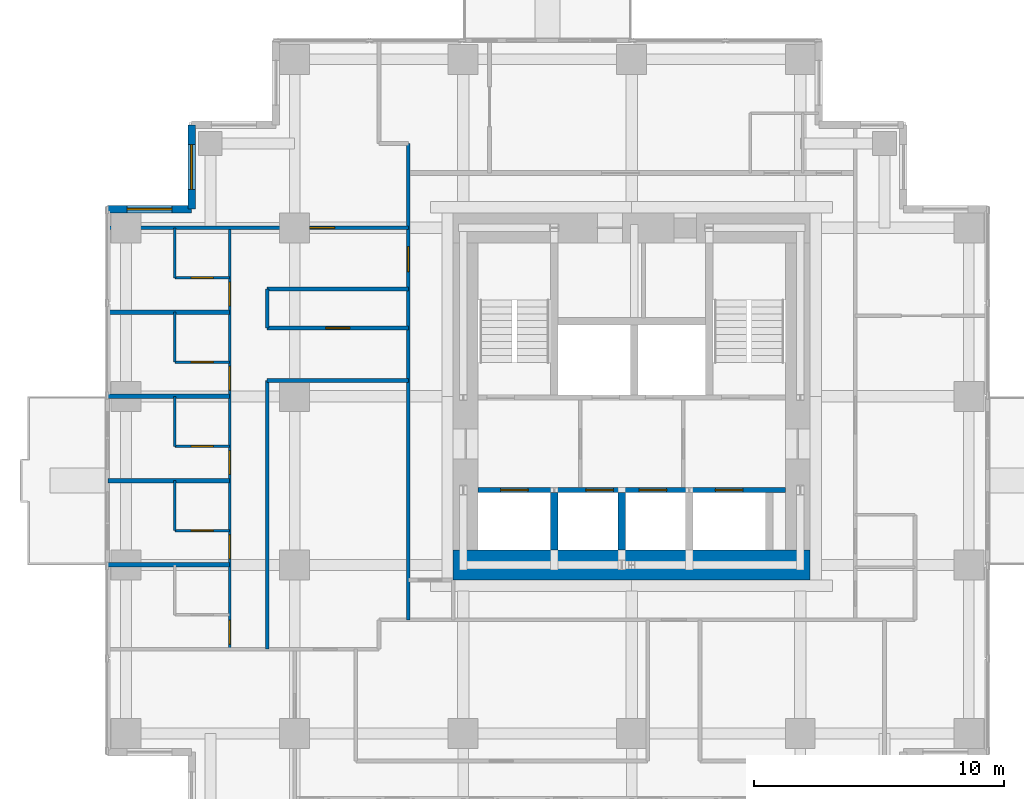
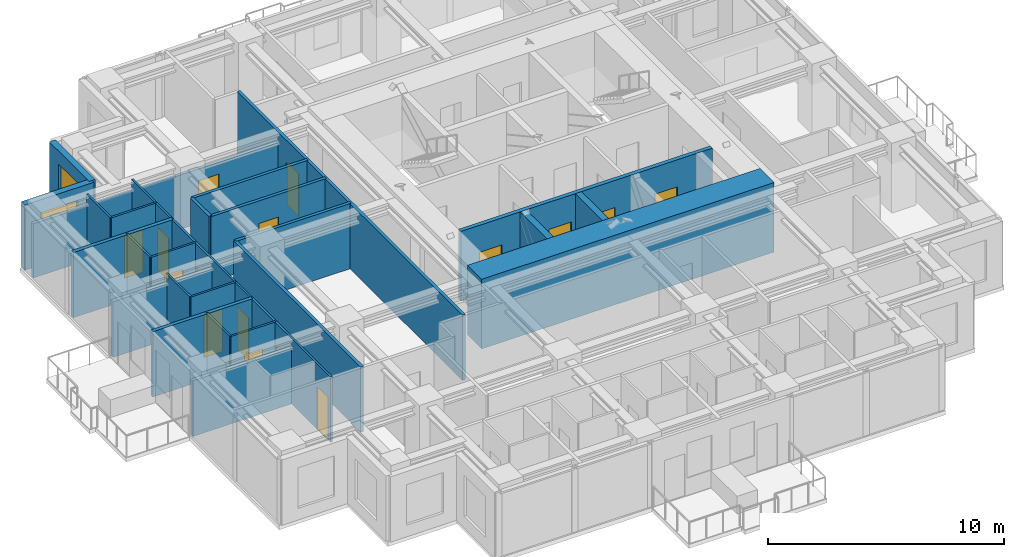
# One storey, part 5 of 8: 26 walls, 16 doors, 2 windows, 18 openings.
"""IFC4 building model written with IfcOpenShell, lengths in metres."""

from ifc_helpers import new_model, si_unit, direction, frame, frame_2d, origin, place, context, subcontext, project, spatial, rectangle, extrude, material, layer, layer_set, type_object, element, fill, save


model = new_model("IFC4")

# Units and contexts
model_context = context("Model", 3, precision=1e-05, world=origin(), true_north=direction((0.0, 1.0)))
body_context = subcontext(model_context, "Body", "Model", "MODEL_VIEW")
ifc_project = project(units=[si_unit("LENGTHUNIT", "METRE"), si_unit("AREAUNIT", "SQUARE_METRE"), si_unit("VOLUMEUNIT", "CUBIC_METRE"), si_unit("PLANEANGLEUNIT", "RADIAN"), si_unit("MASSUNIT", "GRAM", prefix="KILO")], contexts=[model_context])

# Site, building, storey
site_placement = place(None, origin())
site = spatial("IfcSite", under=ifc_project, at=site_placement, CompositionType="ELEMENT")
building_placement = place(site_placement, origin())
building = spatial("IfcBuilding", under=site, at=building_placement, Name="Nyansa Garden Tower", CompositionType="ELEMENT")
storey_placement = place(building_placement, frame((0.0, 0.0, 171.0)))
storey = spatial("IfcBuildingStorey", under=building, at=storey_placement, Name="L46", CompositionType="ELEMENT", Elevation=171.0)

# Walls
ifc_material_1 = material(Name="Dense blockwork, plastered both sides, 55 dB", Category="masonry")
ifc_layer_1 = layer(ifc_material_1, 0.175048828125)
ifc_layer_set_1 = layer_set([ifc_layer_1], Name="Acoustic party wall PW175")
wall_type_1 = type_object("IfcWallType", Name="Acoustic party wall PW175", PredefinedType="PARTITIONING", material=ifc_layer_set_1)
wall_1_placement = place(storey_placement, frame((-0.73388671875, 13.5, 0.0), z_axis=(0.0, 0.0, 1.0), x_axis=(1.0, 0.0, 0.0)))
element("IfcWall", 1, at=wall_1_placement, inside=storey, type_object=wall_type_1, Name="Party wall", PredefinedType="PARTITIONING", context=body_context, shape_type="SweptSolid", body=[
    extrude(rectangle(XDim=4.8837890625, YDim=0.175048828125, at=frame_2d((2.44189453125, 0.0))), origin(), (0.0, 0.0, 1.0), 2.876953125),
])
wall_2_placement = place(storey_placement, frame((-0.73388671875, 16.875, 0.0), z_axis=(0.0, 0.0, 1.0), x_axis=(1.0, 0.0, 0.0)))
element("IfcWall", 2, at=wall_2_placement, inside=storey, type_object=wall_type_1, Name="Party wall", PredefinedType="PARTITIONING", context=body_context, shape_type="SweptSolid", body=[
    extrude(rectangle(XDim=4.8837890625, YDim=0.175048828125, at=frame_2d((2.44189453125, 0.0))), origin(), (0.0, 0.0, 1.0), 3.375),
])
wall_3_placement = place(storey_placement, frame((-0.73388671875, 20.25, 0.0), z_axis=(0.0, 0.0, 1.0), x_axis=(1.0, 0.0, 0.0)))
element("IfcWall", 3, at=wall_3_placement, inside=storey, type_object=wall_type_1, Name="Party wall", PredefinedType="PARTITIONING", context=body_context, shape_type="SweptSolid", body=[
    extrude(rectangle(XDim=4.8837890625, YDim=0.175048828125, at=frame_2d((2.44189453125, 0.0))), origin(), (0.0, 0.0, 1.0), 2.876953125),
])
wall_4_placement = place(storey_placement, frame((-0.73388671875, 23.625, 0.0), z_axis=(0.0, 0.0, 1.0), x_axis=(1.0, 0.0, 0.0)))
element("IfcWall", 4, at=wall_4_placement, inside=storey, type_object=wall_type_1, Name="Party wall", PredefinedType="PARTITIONING", context=body_context, shape_type="SweptSolid", body=[
    extrude(rectangle(XDim=4.8837890625, YDim=0.175048828125, at=frame_2d((2.44189453125, 0.0))), origin(), (0.0, 0.0, 1.0), 3.375),
])

# Wall, openings, doors
ifc_material_2 = material(Name="Concrete C70/85", Category="concrete")
ifc_layer_2 = layer(ifc_material_2, 0.199951171875)
ifc_layer_set_2 = layer_set([ifc_layer_2], Name="Core inner wall CI200")
wall_type_2 = type_object("IfcWallType", Name="Core inner wall CI200", PredefinedType="SHEAR", material=ifc_layer_set_2)
wall_5_placement = place(storey_placement, frame((14.10009765625, 16.5, 0.0), z_axis=(0.0, 0.0, 1.0), x_axis=(1.0, 0.0, 0.0)))
wall_5 = element("IfcWall", 5, at=wall_5_placement, inside=storey, type_object=wall_type_2, Name="Core inner wall L46", PredefinedType="SHEAR", context=body_context, shape_type="SweptSolid", body=[
    extrude(rectangle(XDim=12.2998046875, YDim=0.199951171875, at=frame_2d((6.14990234375, 0.0))), origin(), (0.0, 0.0, 1.0), 3.60009765625),
])
opening_1_placement = place(wall_5_placement, frame((0.89990234375, 0.0, 0.0)))
opening_1 = element("IfcOpeningElement", 6, at=opening_1_placement, cuts=wall_5, Name="Opening LD-F", PredefinedType="OPENING", context=body_context, shape_type="SweptSolid", body=[
    extrude(rectangle(XDim=1.10009765625, YDim=2.199951171875, at=frame_2d((0.550048828125, 1.10009765625))), frame((0.0, 0.10986328125, 0.0), z_axis=(0.0, -1.0, 0.0), x_axis=(1.0, 0.0, 0.0)), (0.0, 0.0, 1.0), 0.219970703125),
])
opening_2_placement = place(wall_5_placement, frame((4.31005859375, 0.0, 0.0)))
opening_2 = element("IfcOpeningElement", 7, at=opening_2_placement, cuts=wall_5, Name="Opening LD-B", PredefinedType="OPENING", context=body_context, shape_type="SweptSolid", body=[
    extrude(rectangle(XDim=1.10009765625, YDim=2.199951171875, at=frame_2d((0.550048828125, 1.10009765625))), frame((0.0, 0.10986328125, 0.0), z_axis=(0.0, -1.0, 0.0), x_axis=(1.0, 0.0, 0.0)), (0.0, 0.0, 1.0), 0.219970703125),
])
opening_3_placement = place(wall_5_placement, frame((6.449951171875, 0.0, 0.0)))
opening_3 = element("IfcOpeningElement", 8, at=opening_3_placement, cuts=wall_5, Name="Opening LD-B", PredefinedType="OPENING", context=body_context, shape_type="SweptSolid", body=[
    extrude(rectangle(XDim=1.10009765625, YDim=2.199951171875, at=frame_2d((0.550048828125, 1.10009765625))), frame((0.0, 0.10986328125, 0.0), z_axis=(0.0, -1.0, 0.0), x_axis=(1.0, 0.0, 0.0)), (0.0, 0.0, 1.0), 0.219970703125),
])
opening_4_placement = place(wall_5_placement, frame((9.5, 0.0, 0.0)))
opening_4 = element("IfcOpeningElement", 9, at=opening_4_placement, cuts=wall_5, Name="Opening LD-F", PredefinedType="OPENING", context=body_context, shape_type="SweptSolid", body=[
    extrude(rectangle(XDim=1.10009765625, YDim=2.199951171875, at=frame_2d((0.550048828125, 1.10009765625))), frame((0.0, 0.10986328125, 0.0), z_axis=(0.0, -1.0, 0.0), x_axis=(1.0, 0.0, 0.0)), (0.0, 0.0, 1.0), 0.219970703125),
])
ifc_material_3 = material(Name="Stainless steel centre-opening landing door of the high-rise lift, E 120", Category="steel")
door_type_1 = type_object("IfcDoorType", Name="Lift landing door LD-B 1100x2200", OperationType="DOUBLE_DOOR_SLIDING", PredefinedType="DOOR", material=ifc_material_3)
door_1_placement = place(opening_2_placement, origin())
door_1 = element("IfcDoor", 10, at=door_1_placement, inside=storey, type_object=door_type_1, Name="Landing door B1", OperationType="DOUBLE_DOOR_SLIDING", OverallHeight=2.199951171875, OverallWidth=1.10009765625, PredefinedType="DOOR", context=body_context, shape_type="SweptSolid", body=[
    extrude(rectangle(XDim=1.10009765625, YDim=2.199951171875, at=frame_2d((0.550048828125, 1.10009765625))), frame((0.0, 0.02490234375, 0.0), z_axis=(0.0, -1.0, 0.0), x_axis=(1.0, 0.0, 0.0)), (0.0, 0.0, 1.0), 0.050048828125),
])
fill(opening_2, door_1)
door_2_placement = place(opening_3_placement, origin())
door_2 = element("IfcDoor", 11, at=door_2_placement, inside=storey, type_object=door_type_1, Name="Landing door B2", OperationType="DOUBLE_DOOR_SLIDING", OverallHeight=2.199951171875, OverallWidth=1.10009765625, PredefinedType="DOOR", context=body_context, shape_type="SweptSolid", body=[
    extrude(rectangle(XDim=1.10009765625, YDim=2.199951171875, at=frame_2d((0.550048828125, 1.10009765625))), frame((0.0, 0.02490234375, 0.0), z_axis=(0.0, -1.0, 0.0), x_axis=(1.0, 0.0, 0.0)), (0.0, 0.0, 1.0), 0.050048828125),
])
fill(opening_3, door_2)
ifc_material_4 = material(Name="Stainless steel centre-opening landing door of the firefighting lift, EN 81-72, E 120", Category="steel")
door_type_2 = type_object("IfcDoorType", Name="Lift landing door LD-F 1100x2200", OperationType="DOUBLE_DOOR_SLIDING", PredefinedType="DOOR", material=ifc_material_4)
door_3_placement = place(opening_1_placement, origin())
door_3 = element("IfcDoor", 12, at=door_3_placement, inside=storey, type_object=door_type_2, Name="Landing door FF1", OperationType="DOUBLE_DOOR_SLIDING", OverallHeight=2.199951171875, OverallWidth=1.10009765625, PredefinedType="DOOR", context=body_context, shape_type="SweptSolid", body=[
    extrude(rectangle(XDim=1.10009765625, YDim=2.199951171875, at=frame_2d((0.550048828125, 1.10009765625))), frame((0.0, 0.02490234375, 0.0), z_axis=(0.0, -1.0, 0.0), x_axis=(1.0, 0.0, 0.0)), (0.0, 0.0, 1.0), 0.050048828125),
])
fill(opening_1, door_3)
door_4_placement = place(opening_4_placement, origin())
door_4 = element("IfcDoor", 13, at=door_4_placement, inside=storey, type_object=door_type_2, Name="Landing door FF2", OperationType="DOUBLE_DOOR_SLIDING", OverallHeight=2.199951171875, OverallWidth=1.10009765625, PredefinedType="DOOR", context=body_context, shape_type="SweptSolid", body=[
    extrude(rectangle(XDim=1.10009765625, YDim=2.199951171875, at=frame_2d((0.550048828125, 1.10009765625))), frame((0.0, 0.02490234375, 0.0), z_axis=(0.0, -1.0, 0.0), x_axis=(1.0, 0.0, 0.0)), (0.0, 0.0, 1.0), 0.050048828125),
])
fill(opening_4, door_4)

# Walls
ifc_material_5 = material(Name="Concrete C70/85", Category="concrete")
ifc_layer_3 = layer(ifc_material_5, 0.300048828125)
ifc_layer_set_3 = layer_set([ifc_layer_3], Name="Core inner wall CI300")
wall_type_3 = type_object("IfcWallType", Name="Core inner wall CI300", PredefinedType="SHEAR", material=ifc_layer_set_3)
for number, where, z_axis, x_axis, name in (
    (14, (17.14990234375, 14.10009765625, 0.0), (0.0, 0.0, 1.0), (0.0, 1.0, 0.0), "Core inner wall L46"),
    (15, (19.85009765625, 14.10009765625, 0.0), (0.0, 0.0, 1.0), (0.0, 1.0, 0.0), "Core inner wall L46"),
):
    element("IfcWall", number, at=place(storey_placement, frame(where, z_axis=z_axis, x_axis=x_axis)), inside=storey, type_object=wall_type_3, Name=name, PredefinedType="SHEAR", context=body_context, shape_type="SweptSolid", body=[
        extrude(rectangle(XDim=2.2998046875, YDim=0.300048828125, at=frame_2d((1.14990234375, 0.0))), origin(), (0.0, 0.0, 1.0), 3.60009765625),
    ])
ifc_material_6 = material(Name="Concrete C80/95", Category="concrete")
ifc_layer_4 = layer(ifc_material_6, 1.199951171875)
ifc_layer_set_4 = layer_set([ifc_layer_4], Name="Core wall CW1200")
wall_type_4 = type_object("IfcWallType", Name="Core wall CW1200", PredefinedType="SHEAR", material=ifc_layer_set_4)
wall_6_placement = place(storey_placement, frame((13.10009765625, 13.5, 0.0), z_axis=(0.0, 0.0, 1.0), x_axis=(1.0, 0.0, 0.0)))
element("IfcWall", 16, at=wall_6_placement, inside=storey, type_object=wall_type_4, Name="Core wall S L46", PredefinedType="SHEAR", context=body_context, shape_type="SweptSolid", body=[
    extrude(rectangle(XDim=14.2998046875, YDim=1.199951171875, at=frame_2d((7.14990234375, 0.0))), origin(), (0.0, 0.0, 1.0), 3.60009765625),
])

# Wall, opening, door
ifc_material_7 = material(Name="Blockwork, plastered both sides", Category="masonry")
ifc_layer_5 = layer(ifc_material_7, 0.14990234375)
ifc_layer_set_5 = layer_set([ifc_layer_5], Name="Partition PW150")
wall_type_5 = type_object("IfcWallType", Name="Partition PW150", PredefinedType="PARTITIONING", material=ifc_layer_set_5)
wall_7_placement = place(storey_placement, frame((-0.73388671875, 27.0, 0.0), z_axis=(0.0, 0.0, 1.0), x_axis=(1.0, 0.0, 0.0)))
wall_7 = element("IfcWall", 17, at=wall_7_placement, inside=storey, type_object=wall_type_5, Name="Partition", PredefinedType="PARTITIONING", context=body_context, shape_type="SweptSolid", body=[
    extrude(rectangle(XDim=12.033935546875, YDim=0.14990234375, at=frame_2d((6.01708984375, 0.0))), origin(), (0.0, 0.0, 1.0), 2.805908203125),
])
opening_5_placement = place(wall_7_placement, frame((8.083984375, 0.0, 0.0)))
opening_5 = element("IfcOpeningElement", 18, at=opening_5_placement, cuts=wall_7, Name="Opening D03", PredefinedType="OPENING", context=body_context, shape_type="SweptSolid", body=[
    extrude(rectangle(XDim=1.0, YDim=2.199951171875, at=frame_2d((0.5, 1.10009765625))), frame((0.0, 0.0849609375, 0.0), z_axis=(0.0, -1.0, 0.0), x_axis=(1.0, 0.0, 0.0)), (0.0, 0.0, 1.0), 0.169921875),
])
ifc_material_8 = material(Name="Timber flush door, 60 minute fire resisting", Category="wood")
door_type_3 = type_object("IfcDoorType", Name="Cluster entrance door D03 1000x2200", OperationType="SINGLE_SWING_LEFT", PredefinedType="DOOR", material=ifc_material_8)
door_5_placement = place(opening_5_placement, origin())
door_5 = element("IfcDoor", 19, at=door_5_placement, inside=storey, type_object=door_type_3, Name="Door L46-051", OperationType="SINGLE_SWING_LEFT", OverallHeight=2.199951171875, OverallWidth=1.0, PredefinedType="DOOR", context=body_context, shape_type="SweptSolid", body=[
    extrude(rectangle(XDim=1.0, YDim=2.199951171875, at=frame_2d((0.5, 1.10009765625))), frame((0.0, 0.02490234375, 0.0), z_axis=(0.0, -1.0, 0.0), x_axis=(1.0, 0.0, 0.0)), (0.0, 0.0, 1.0), 0.050048828125),
])
fill(opening_5, door_5)

# Walls
wall_8_placement = place(storey_placement, frame((5.64990234375, 10.125, 0.0), z_axis=(0.0, 0.0, 1.0), x_axis=(0.0, 1.0, 0.0)))
element("IfcWall", 20, at=wall_8_placement, inside=storey, type_object=wall_type_5, Name="Partition", PredefinedType="PARTITIONING", context=body_context, shape_type="SweptSolid", body=[
    extrude(rectangle(XDim=10.762451171875, YDim=0.14990234375, at=frame_2d((5.38134765625, 0.0))), origin(), (0.0, 0.0, 1.0), 3.375),
])
wall_9_placement = place(storey_placement, frame((5.64990234375, 20.886962890625, 0.0), z_axis=(0.0, 0.0, 1.0), x_axis=(1.0, 0.0, 0.0)))
element("IfcWall", 21, at=wall_9_placement, inside=storey, type_object=wall_type_5, Name="Partition", PredefinedType="PARTITIONING", context=body_context, shape_type="SweptSolid", body=[
    extrude(rectangle(XDim=5.650146484375, YDim=0.14990234375, at=frame_2d((2.8251953125, 0.0))), origin(), (0.0, 0.0, 1.0), 3.375),
])
wall_10_placement = place(storey_placement, frame((5.64990234375, 22.987548828125, 0.0), z_axis=(0.0, 0.0, 1.0), x_axis=(0.0, 1.0, 0.0)))
element("IfcWall", 22, at=wall_10_placement, inside=storey, type_object=wall_type_5, Name="Partition", PredefinedType="PARTITIONING", context=body_context, shape_type="SweptSolid", body=[
    extrude(rectangle(XDim=1.5625, YDim=0.14990234375, at=frame_2d((0.78125, 0.0))), origin(), (0.0, 0.0, 1.0), 3.375),
])

# Wall, opening, door
wall_11_placement = place(storey_placement, frame((5.64990234375, 22.988037109375, 0.0), z_axis=(0.0, 0.0, 1.0), x_axis=(1.0, 0.0, 0.0)))
wall_11 = element("IfcWall", 23, at=wall_11_placement, inside=storey, type_object=wall_type_5, Name="Partition", PredefinedType="PARTITIONING", context=body_context, shape_type="SweptSolid", body=[
    extrude(rectangle(XDim=5.650146484375, YDim=0.14990234375, at=frame_2d((2.8251953125, 0.0))), origin(), (0.0, 0.0, 1.0), 3.375),
])
opening_6_placement = place(wall_11_placement, frame((2.35009765625, 0.0, 0.0)))
opening_6 = element("IfcOpeningElement", 24, at=opening_6_placement, cuts=wall_11, Name="Opening D01", PredefinedType="OPENING", context=body_context, shape_type="SweptSolid", body=[
    extrude(rectangle(XDim=0.949951171875, YDim=2.199951171875, at=frame_2d((0.47509765625, 1.10009765625))), frame((0.0, 0.0849609375, 0.0), z_axis=(0.0, -1.0, 0.0), x_axis=(1.0, 0.0, 0.0)), (0.0, 0.0, 1.0), 0.169921875),
])
ifc_material_9 = material(Name="Timber flush door, 30 minute fire resisting", Category="wood")
door_type_4 = type_object("IfcDoorType", Name="Bedroom door D01 950x2200", OperationType="SINGLE_SWING_LEFT", PredefinedType="DOOR", material=ifc_material_9)
door_6_placement = place(opening_6_placement, origin())
door_6 = element("IfcDoor", 25, at=door_6_placement, inside=storey, type_object=door_type_4, Name="Door L46-053", OperationType="SINGLE_SWING_LEFT", OverallHeight=2.199951171875, OverallWidth=0.949951171875, PredefinedType="DOOR", context=body_context, shape_type="SweptSolid", body=[
    extrude(rectangle(XDim=0.949951171875, YDim=2.199951171875, at=frame_2d((0.47509765625, 1.10009765625))), frame((0.0, 0.02490234375, 0.0), z_axis=(0.0, -1.0, 0.0), x_axis=(1.0, 0.0, 0.0)), (0.0, 0.0, 1.0), 0.050048828125),
])
fill(opening_6, door_6)

# Wall
wall_12_placement = place(storey_placement, frame((5.64990234375, 24.550048828125, 0.0), z_axis=(0.0, 0.0, 1.0), x_axis=(1.0, 0.0, 0.0)))
element("IfcWall", 26, at=wall_12_placement, inside=storey, type_object=wall_type_5, Name="Partition", PredefinedType="PARTITIONING", context=body_context, shape_type="SweptSolid", body=[
    extrude(rectangle(XDim=5.650146484375, YDim=0.14990234375, at=frame_2d((2.8251953125, 0.0))), origin(), (0.0, 0.0, 1.0), 3.375),
])

# Wall, opening, door
wall_13_placement = place(storey_placement, frame((11.300048828125, 11.300048828125, 0.0), z_axis=(0.0, 0.0, 1.0), x_axis=(0.0, 1.0, 0.0)))
wall_13 = element("IfcWall", 27, at=wall_13_placement, inside=storey, type_object=wall_type_5, Name="Partition", PredefinedType="PARTITIONING", context=body_context, shape_type="SweptSolid", body=[
    extrude(rectangle(XDim=19.074951171875, YDim=0.14990234375, at=frame_2d((9.53759765625, 0.0))), origin(), (0.0, 0.0, 1.0), 3.375),
])
opening_7_placement = place(wall_13_placement, frame((13.949951171875, 0.0, 0.0)))
opening_7 = element("IfcOpeningElement", 28, at=opening_7_placement, cuts=wall_13, Name="Opening D03", PredefinedType="OPENING", context=body_context, shape_type="SweptSolid", body=[
    extrude(rectangle(XDim=1.0, YDim=2.199951171875, at=frame_2d((0.5, 1.10009765625))), frame((0.0, 0.0849609375, 0.0), z_axis=(0.0, -1.0, 0.0), x_axis=(1.0, 0.0, 0.0)), (0.0, 0.0, 1.0), 0.169921875),
])
door_7_placement = place(opening_7_placement, origin())
door_7 = element("IfcDoor", 29, at=door_7_placement, inside=storey, type_object=door_type_3, Name="Door L46-052", OperationType="SINGLE_SWING_LEFT", OverallHeight=2.199951171875, OverallWidth=1.0, PredefinedType="DOOR", context=body_context, shape_type="SweptSolid", body=[
    extrude(rectangle(XDim=1.0, YDim=2.199951171875, at=frame_2d((0.5, 1.10009765625))), frame((0.0, 0.02490234375, 0.0), z_axis=(0.0, -1.0, 0.0), x_axis=(1.0, 0.0, 0.0)), (0.0, 0.0, 1.0), 0.050048828125),
])
fill(opening_7, door_7)

# Wall, opening, window
ifc_material_10 = material(Name="Turquoise glazed tile on concrete blockwork", Category="masonry")
ifc_layer_6 = layer(ifc_material_10, 0.300048828125)
ifc_layer_set_6 = layer_set([ifc_layer_6], Name="Tiled corner wall TW300")
wall_type_6 = type_object("IfcWallType", Name="Tiled corner wall TW300", PredefinedType="SOLIDWALL", material=ifc_layer_set_6)
wall_14_placement = place(storey_placement, frame((2.625, 31.125, 0.0), z_axis=(0.0, 0.0, 1.0), x_axis=(0.0, -1.0, 0.0)))
wall_14 = element("IfcWall", 30, at=wall_14_placement, inside=storey, type_object=wall_type_6, Name="Tiled corner wall L46", PredefinedType="SOLIDWALL", context=body_context, shape_type="SweptSolid", body=[
    extrude(rectangle(XDim=3.375, YDim=0.300048828125, at=frame_2d((1.6875, 0.0))), origin(), (0.0, 0.0, 1.0), 3.375),
])
opening_8_placement = place(wall_14_placement, frame((0.78759765625, 0.0, 0.60009765625)))
opening_8 = element("IfcOpeningElement", 31, at=opening_8_placement, cuts=wall_14, Name="Opening W2", PredefinedType="OPENING", context=body_context, shape_type="SweptSolid", body=[
    extrude(rectangle(XDim=1.800048828125, YDim=2.10009765625, at=frame_2d((0.89990234375, 1.050048828125))), frame((0.0, 0.159912109375, 0.0), z_axis=(0.0, -1.0, 0.0), x_axis=(1.0, 0.0, 0.0)), (0.0, 0.0, 1.0), 0.320068359375),
])
ifc_material_11 = material(Name="Black aluminium frame, dark tinted double glazing", Category="aluminium")
window_type = type_object("IfcWindowType", Name="Window W2 1800x2100", PartitioningType="SINGLE_PANEL", PredefinedType="WINDOW", material=ifc_material_11)
window_1_placement = place(opening_8_placement, origin())
window_1 = element("IfcWindow", 32, at=window_1_placement, inside=storey, type_object=window_type, Name="Corner window L46", OverallHeight=2.10009765625, OverallWidth=1.800048828125, PartitioningType="SINGLE_PANEL", PredefinedType="WINDOW", context=body_context, shape_type="SweptSolid", body=[
    extrude(rectangle(XDim=1.800048828125, YDim=2.10009765625, at=frame_2d((0.89990234375, 1.050048828125))), frame((0.0, 0.030029296875, 0.0), z_axis=(0.0, -1.0, 0.0), x_axis=(1.0, 0.0, 0.0)), (0.0, 0.0, 1.0), 0.06005859375),
])
fill(opening_8, window_1)

wall_15_placement = place(storey_placement, frame((2.625, 27.75, 0.0), z_axis=(0.0, 0.0, 1.0), x_axis=(-1.0, 0.0, 0.0)))
wall_15 = element("IfcWall", 33, at=wall_15_placement, inside=storey, type_object=wall_type_6, Name="Tiled corner wall L46", PredefinedType="SOLIDWALL", context=body_context, shape_type="SweptSolid", body=[
    extrude(rectangle(XDim=3.375, YDim=0.300048828125, at=frame_2d((1.6875, 0.0))), origin(), (0.0, 0.0, 1.0), 3.375),
])
opening_9_placement = place(wall_15_placement, frame((0.78759765625, 0.0, 0.60009765625)))
opening_9 = element("IfcOpeningElement", 34, at=opening_9_placement, cuts=wall_15, Name="Opening W2", PredefinedType="OPENING", context=body_context, shape_type="SweptSolid", body=[
    extrude(rectangle(XDim=1.800048828125, YDim=2.10009765625, at=frame_2d((0.89990234375, 1.050048828125))), frame((0.0, 0.159912109375, 0.0), z_axis=(0.0, -1.0, 0.0), x_axis=(1.0, 0.0, 0.0)), (0.0, 0.0, 1.0), 0.320068359375),
])
window_2_placement = place(opening_9_placement, origin())
window_2 = element("IfcWindow", 35, at=window_2_placement, inside=storey, type_object=window_type, Name="Corner window L46", OverallHeight=2.10009765625, OverallWidth=1.800048828125, PartitioningType="SINGLE_PANEL", PredefinedType="WINDOW", context=body_context, shape_type="SweptSolid", body=[
    extrude(rectangle(XDim=1.800048828125, YDim=2.10009765625, at=frame_2d((0.89990234375, 1.050048828125))), frame((0.0, 0.030029296875, 0.0), z_axis=(0.0, -1.0, 0.0), x_axis=(1.0, 0.0, 0.0)), (0.0, 0.0, 1.0), 0.06005859375),
])
fill(opening_9, window_2)

# Wall
ifc_material_12 = material(Name="Moisture resistant board on steel studs, tiled", Category="steel")
ifc_layer_7 = layer(ifc_material_12, 0.10009765625)
ifc_layer_set_7 = layer_set([ifc_layer_7], Name="Wet wall PW100")
wall_type_7 = type_object("IfcWallType", Name="Wet wall PW100", PredefinedType="PARTITIONING", material=ifc_layer_set_7)
wall_16_placement = place(storey_placement, frame((1.949951171875, 14.875, 0.0), z_axis=(0.0, 0.0, 1.0), x_axis=(0.0, 1.0, 0.0)))
element("IfcWall", 36, at=wall_16_placement, inside=storey, type_object=wall_type_7, Name="Wet wall", PredefinedType="PARTITIONING", context=body_context, shape_type="SweptSolid", body=[
    extrude(rectangle(XDim=2.0, YDim=0.10009765625, at=frame_2d((1.0, 0.0))), origin(), (0.0, 0.0, 1.0), 3.375),
])

# Wall, opening, door
wall_17_placement = place(storey_placement, frame((1.949951171875, 14.875, 0.0), z_axis=(0.0, 0.0, 1.0), x_axis=(1.0, 0.0, 0.0)))
wall_17 = element("IfcWall", 37, at=wall_17_placement, inside=storey, type_object=wall_type_7, Name="Wet wall", PredefinedType="PARTITIONING", context=body_context, shape_type="SweptSolid", body=[
    extrude(rectangle(XDim=2.199951171875, YDim=0.10009765625, at=frame_2d((1.10009765625, 0.0))), origin(), (0.0, 0.0, 1.0), 3.375),
])
opening_10_placement = place(wall_17_placement, frame((0.64990234375, 0.0, 0.0)))
opening_10 = element("IfcOpeningElement", 38, at=opening_10_placement, cuts=wall_17, Name="Opening D02", PredefinedType="OPENING", context=body_context, shape_type="SweptSolid", body=[
    extrude(rectangle(XDim=0.89990234375, YDim=2.199951171875, at=frame_2d((0.449951171875, 1.10009765625))), frame((0.0, 0.06005859375, 0.0), z_axis=(0.0, -1.0, 0.0), x_axis=(1.0, 0.0, 0.0)), (0.0, 0.0, 1.0), 0.1201171875),
])
ifc_material_13 = material(Name="Timber flush door", Category="wood")
door_type_5 = type_object("IfcDoorType", Name="En-suite door D02 900x2200", OperationType="SINGLE_SWING_RIGHT", PredefinedType="DOOR", material=ifc_material_13)
door_8_placement = place(opening_10_placement, origin())
door_8 = element("IfcDoor", 39, at=door_8_placement, inside=storey, type_object=door_type_5, Name="Door L46-044", OperationType="SINGLE_SWING_RIGHT", OverallHeight=2.199951171875, OverallWidth=0.89990234375, PredefinedType="DOOR", context=body_context, shape_type="SweptSolid", body=[
    extrude(rectangle(XDim=0.89990234375, YDim=2.199951171875, at=frame_2d((0.449951171875, 1.10009765625))), frame((0.0, 0.02490234375, 0.0), z_axis=(0.0, -1.0, 0.0), x_axis=(1.0, 0.0, 0.0)), (0.0, 0.0, 1.0), 0.050048828125),
])
fill(opening_10, door_8)

# Wall
wall_18_placement = place(storey_placement, frame((1.949951171875, 18.25, 0.0), z_axis=(0.0, 0.0, 1.0), x_axis=(0.0, 1.0, 0.0)))
element("IfcWall", 40, at=wall_18_placement, inside=storey, type_object=wall_type_7, Name="Wet wall", PredefinedType="PARTITIONING", context=body_context, shape_type="SweptSolid", body=[
    extrude(rectangle(XDim=2.0, YDim=0.10009765625, at=frame_2d((1.0, 0.0))), origin(), (0.0, 0.0, 1.0), 3.375),
])

# Wall, opening, door
wall_19_placement = place(storey_placement, frame((1.949951171875, 18.25, 0.0), z_axis=(0.0, 0.0, 1.0), x_axis=(1.0, 0.0, 0.0)))
wall_19 = element("IfcWall", 41, at=wall_19_placement, inside=storey, type_object=wall_type_7, Name="Wet wall", PredefinedType="PARTITIONING", context=body_context, shape_type="SweptSolid", body=[
    extrude(rectangle(XDim=2.199951171875, YDim=0.10009765625, at=frame_2d((1.10009765625, 0.0))), origin(), (0.0, 0.0, 1.0), 3.375),
])
opening_11_placement = place(wall_19_placement, frame((0.64990234375, 0.0, 0.0)))
opening_11 = element("IfcOpeningElement", 42, at=opening_11_placement, cuts=wall_19, Name="Opening D02", PredefinedType="OPENING", context=body_context, shape_type="SweptSolid", body=[
    extrude(rectangle(XDim=0.89990234375, YDim=2.199951171875, at=frame_2d((0.449951171875, 1.10009765625))), frame((0.0, 0.06005859375, 0.0), z_axis=(0.0, -1.0, 0.0), x_axis=(1.0, 0.0, 0.0)), (0.0, 0.0, 1.0), 0.1201171875),
])
door_9_placement = place(opening_11_placement, origin())
door_9 = element("IfcDoor", 43, at=door_9_placement, inside=storey, type_object=door_type_5, Name="Door L46-046", OperationType="SINGLE_SWING_RIGHT", OverallHeight=2.199951171875, OverallWidth=0.89990234375, PredefinedType="DOOR", context=body_context, shape_type="SweptSolid", body=[
    extrude(rectangle(XDim=0.89990234375, YDim=2.199951171875, at=frame_2d((0.449951171875, 1.10009765625))), frame((0.0, 0.02490234375, 0.0), z_axis=(0.0, -1.0, 0.0), x_axis=(1.0, 0.0, 0.0)), (0.0, 0.0, 1.0), 0.050048828125),
])
fill(opening_11, door_9)

# Wall
wall_20_placement = place(storey_placement, frame((1.949951171875, 21.625, 0.0), z_axis=(0.0, 0.0, 1.0), x_axis=(0.0, 1.0, 0.0)))
element("IfcWall", 44, at=wall_20_placement, inside=storey, type_object=wall_type_7, Name="Wet wall", PredefinedType="PARTITIONING", context=body_context, shape_type="SweptSolid", body=[
    extrude(rectangle(XDim=2.0, YDim=0.10009765625, at=frame_2d((1.0, 0.0))), origin(), (0.0, 0.0, 1.0), 3.375),
])

# Wall, opening, door
wall_21_placement = place(storey_placement, frame((1.949951171875, 21.625, 0.0), z_axis=(0.0, 0.0, 1.0), x_axis=(1.0, 0.0, 0.0)))
wall_21 = element("IfcWall", 45, at=wall_21_placement, inside=storey, type_object=wall_type_7, Name="Wet wall", PredefinedType="PARTITIONING", context=body_context, shape_type="SweptSolid", body=[
    extrude(rectangle(XDim=2.199951171875, YDim=0.10009765625, at=frame_2d((1.10009765625, 0.0))), origin(), (0.0, 0.0, 1.0), 3.375),
])
opening_12_placement = place(wall_21_placement, frame((0.64990234375, 0.0, 0.0)))
opening_12 = element("IfcOpeningElement", 46, at=opening_12_placement, cuts=wall_21, Name="Opening D02", PredefinedType="OPENING", context=body_context, shape_type="SweptSolid", body=[
    extrude(rectangle(XDim=0.89990234375, YDim=2.199951171875, at=frame_2d((0.449951171875, 1.10009765625))), frame((0.0, 0.06005859375, 0.0), z_axis=(0.0, -1.0, 0.0), x_axis=(1.0, 0.0, 0.0)), (0.0, 0.0, 1.0), 0.1201171875),
])
door_10_placement = place(opening_12_placement, origin())
door_10 = element("IfcDoor", 47, at=door_10_placement, inside=storey, type_object=door_type_5, Name="Door L46-048", OperationType="SINGLE_SWING_RIGHT", OverallHeight=2.199951171875, OverallWidth=0.89990234375, PredefinedType="DOOR", context=body_context, shape_type="SweptSolid", body=[
    extrude(rectangle(XDim=0.89990234375, YDim=2.199951171875, at=frame_2d((0.449951171875, 1.10009765625))), frame((0.0, 0.02490234375, 0.0), z_axis=(0.0, -1.0, 0.0), x_axis=(1.0, 0.0, 0.0)), (0.0, 0.0, 1.0), 0.050048828125),
])
fill(opening_12, door_10)

# Wall
wall_22_placement = place(storey_placement, frame((1.949951171875, 25.0, 0.0), z_axis=(0.0, 0.0, 1.0), x_axis=(0.0, 1.0, 0.0)))
element("IfcWall", 48, at=wall_22_placement, inside=storey, type_object=wall_type_7, Name="Wet wall", PredefinedType="PARTITIONING", context=body_context, shape_type="SweptSolid", body=[
    extrude(rectangle(XDim=2.0, YDim=0.10009765625, at=frame_2d((1.0, 0.0))), origin(), (0.0, 0.0, 1.0), 3.375),
])

# Wall, opening, door
wall_23_placement = place(storey_placement, frame((1.949951171875, 25.0, 0.0), z_axis=(0.0, 0.0, 1.0), x_axis=(1.0, 0.0, 0.0)))
wall_23 = element("IfcWall", 49, at=wall_23_placement, inside=storey, type_object=wall_type_7, Name="Wet wall", PredefinedType="PARTITIONING", context=body_context, shape_type="SweptSolid", body=[
    extrude(rectangle(XDim=2.199951171875, YDim=0.10009765625, at=frame_2d((1.10009765625, 0.0))), origin(), (0.0, 0.0, 1.0), 3.375),
])
opening_13_placement = place(wall_23_placement, frame((0.64990234375, 0.0, 0.0)))
opening_13 = element("IfcOpeningElement", 50, at=opening_13_placement, cuts=wall_23, Name="Opening D02", PredefinedType="OPENING", context=body_context, shape_type="SweptSolid", body=[
    extrude(rectangle(XDim=0.89990234375, YDim=2.199951171875, at=frame_2d((0.449951171875, 1.10009765625))), frame((0.0, 0.06005859375, 0.0), z_axis=(0.0, -1.0, 0.0), x_axis=(1.0, 0.0, 0.0)), (0.0, 0.0, 1.0), 0.1201171875),
])
door_11_placement = place(opening_13_placement, origin())
door_11 = element("IfcDoor", 51, at=door_11_placement, inside=storey, type_object=door_type_5, Name="Door L46-050", OperationType="SINGLE_SWING_RIGHT", OverallHeight=2.199951171875, OverallWidth=0.89990234375, PredefinedType="DOOR", context=body_context, shape_type="SweptSolid", body=[
    extrude(rectangle(XDim=0.89990234375, YDim=2.199951171875, at=frame_2d((0.449951171875, 1.10009765625))), frame((0.0, 0.02490234375, 0.0), z_axis=(0.0, -1.0, 0.0), x_axis=(1.0, 0.0, 0.0)), (0.0, 0.0, 1.0), 0.050048828125),
])
fill(opening_13, door_11)

# Wall, openings, doors
wall_24_placement = place(storey_placement, frame((4.14990234375, 10.125, 0.0), z_axis=(0.0, 0.0, 1.0), x_axis=(0.0, 1.0, 0.0)))
wall_24 = element("IfcWall", 52, at=wall_24_placement, inside=storey, type_object=wall_type_7, Name="Wet wall", PredefinedType="PARTITIONING", context=body_context, shape_type="SweptSolid", body=[
    extrude(rectangle(XDim=16.875, YDim=0.10009765625, at=frame_2d((8.4375, 0.0))), origin(), (0.0, 0.0, 1.0), 3.375),
])
opening_14_placement = place(wall_24_placement, frame((0.199951171875, 0.0, 0.0)))
opening_14 = element("IfcOpeningElement", 53, at=opening_14_placement, cuts=wall_24, Name="Opening D01", PredefinedType="OPENING", context=body_context, shape_type="SweptSolid", body=[
    extrude(rectangle(XDim=0.949951171875, YDim=2.199951171875, at=frame_2d((0.47509765625, 1.10009765625))), frame((0.0, 0.06005859375, 0.0), z_axis=(0.0, -1.0, 0.0), x_axis=(1.0, 0.0, 0.0)), (0.0, 0.0, 1.0), 0.1201171875),
])
opening_15_placement = place(wall_24_placement, frame((3.625, 0.0, 0.0)))
opening_15 = element("IfcOpeningElement", 54, at=opening_15_placement, cuts=wall_24, Name="Opening D01", PredefinedType="OPENING", context=body_context, shape_type="SweptSolid", body=[
    extrude(rectangle(XDim=0.949951171875, YDim=2.199951171875, at=frame_2d((0.47509765625, 1.10009765625))), frame((0.0, 0.06005859375, 0.0), z_axis=(0.0, -1.0, 0.0), x_axis=(1.0, 0.0, 0.0)), (0.0, 0.0, 1.0), 0.1201171875),
])
opening_16_placement = place(wall_24_placement, frame((7.0, 0.0, 0.0)))
opening_16 = element("IfcOpeningElement", 55, at=opening_16_placement, cuts=wall_24, Name="Opening D01", PredefinedType="OPENING", context=body_context, shape_type="SweptSolid", body=[
    extrude(rectangle(XDim=0.949951171875, YDim=2.199951171875, at=frame_2d((0.47509765625, 1.10009765625))), frame((0.0, 0.06005859375, 0.0), z_axis=(0.0, -1.0, 0.0), x_axis=(1.0, 0.0, 0.0)), (0.0, 0.0, 1.0), 0.1201171875),
])
opening_17_placement = place(wall_24_placement, frame((10.375, 0.0, 0.0)))
opening_17 = element("IfcOpeningElement", 56, at=opening_17_placement, cuts=wall_24, Name="Opening D01", PredefinedType="OPENING", context=body_context, shape_type="SweptSolid", body=[
    extrude(rectangle(XDim=0.949951171875, YDim=2.199951171875, at=frame_2d((0.47509765625, 1.10009765625))), frame((0.0, 0.06005859375, 0.0), z_axis=(0.0, -1.0, 0.0), x_axis=(1.0, 0.0, 0.0)), (0.0, 0.0, 1.0), 0.1201171875),
])
opening_18_placement = place(wall_24_placement, frame((13.75, 0.0, 0.0)))
opening_18 = element("IfcOpeningElement", 57, at=opening_18_placement, cuts=wall_24, Name="Opening D01", PredefinedType="OPENING", context=body_context, shape_type="SweptSolid", body=[
    extrude(rectangle(XDim=0.949951171875, YDim=2.199951171875, at=frame_2d((0.47509765625, 1.10009765625))), frame((0.0, 0.06005859375, 0.0), z_axis=(0.0, -1.0, 0.0), x_axis=(1.0, 0.0, 0.0)), (0.0, 0.0, 1.0), 0.1201171875),
])
door_12_placement = place(opening_14_placement, origin())
door_12 = element("IfcDoor", 58, at=door_12_placement, inside=storey, type_object=door_type_4, Name="Door L46-041", OperationType="SINGLE_SWING_LEFT", OverallHeight=2.199951171875, OverallWidth=0.949951171875, PredefinedType="DOOR", context=body_context, shape_type="SweptSolid", body=[
    extrude(rectangle(XDim=0.949951171875, YDim=2.199951171875, at=frame_2d((0.47509765625, 1.10009765625))), frame((0.0, 0.02490234375, 0.0), z_axis=(0.0, -1.0, 0.0), x_axis=(1.0, 0.0, 0.0)), (0.0, 0.0, 1.0), 0.050048828125),
])
fill(opening_14, door_12)
door_13_placement = place(opening_15_placement, origin())
door_13 = element("IfcDoor", 59, at=door_13_placement, inside=storey, type_object=door_type_4, Name="Door L46-043", OperationType="SINGLE_SWING_LEFT", OverallHeight=2.199951171875, OverallWidth=0.949951171875, PredefinedType="DOOR", context=body_context, shape_type="SweptSolid", body=[
    extrude(rectangle(XDim=0.949951171875, YDim=2.199951171875, at=frame_2d((0.47509765625, 1.10009765625))), frame((0.0, 0.02490234375, 0.0), z_axis=(0.0, -1.0, 0.0), x_axis=(1.0, 0.0, 0.0)), (0.0, 0.0, 1.0), 0.050048828125),
])
fill(opening_15, door_13)
door_14_placement = place(opening_16_placement, origin())
door_14 = element("IfcDoor", 60, at=door_14_placement, inside=storey, type_object=door_type_4, Name="Door L46-045", OperationType="SINGLE_SWING_LEFT", OverallHeight=2.199951171875, OverallWidth=0.949951171875, PredefinedType="DOOR", context=body_context, shape_type="SweptSolid", body=[
    extrude(rectangle(XDim=0.949951171875, YDim=2.199951171875, at=frame_2d((0.47509765625, 1.10009765625))), frame((0.0, 0.02490234375, 0.0), z_axis=(0.0, -1.0, 0.0), x_axis=(1.0, 0.0, 0.0)), (0.0, 0.0, 1.0), 0.050048828125),
])
fill(opening_16, door_14)
door_15_placement = place(opening_17_placement, origin())
door_15 = element("IfcDoor", 61, at=door_15_placement, inside=storey, type_object=door_type_4, Name="Door L46-047", OperationType="SINGLE_SWING_LEFT", OverallHeight=2.199951171875, OverallWidth=0.949951171875, PredefinedType="DOOR", context=body_context, shape_type="SweptSolid", body=[
    extrude(rectangle(XDim=0.949951171875, YDim=2.199951171875, at=frame_2d((0.47509765625, 1.10009765625))), frame((0.0, 0.02490234375, 0.0), z_axis=(0.0, -1.0, 0.0), x_axis=(1.0, 0.0, 0.0)), (0.0, 0.0, 1.0), 0.050048828125),
])
fill(opening_17, door_15)
door_16_placement = place(opening_18_placement, origin())
door_16 = element("IfcDoor", 62, at=door_16_placement, inside=storey, type_object=door_type_4, Name="Door L46-049", OperationType="SINGLE_SWING_LEFT", OverallHeight=2.199951171875, OverallWidth=0.949951171875, PredefinedType="DOOR", context=body_context, shape_type="SweptSolid", body=[
    extrude(rectangle(XDim=0.949951171875, YDim=2.199951171875, at=frame_2d((0.47509765625, 1.10009765625))), frame((0.0, 0.02490234375, 0.0), z_axis=(0.0, -1.0, 0.0), x_axis=(1.0, 0.0, 0.0)), (0.0, 0.0, 1.0), 0.050048828125),
])
fill(opening_18, door_16)

save(model, "model.ifc")
